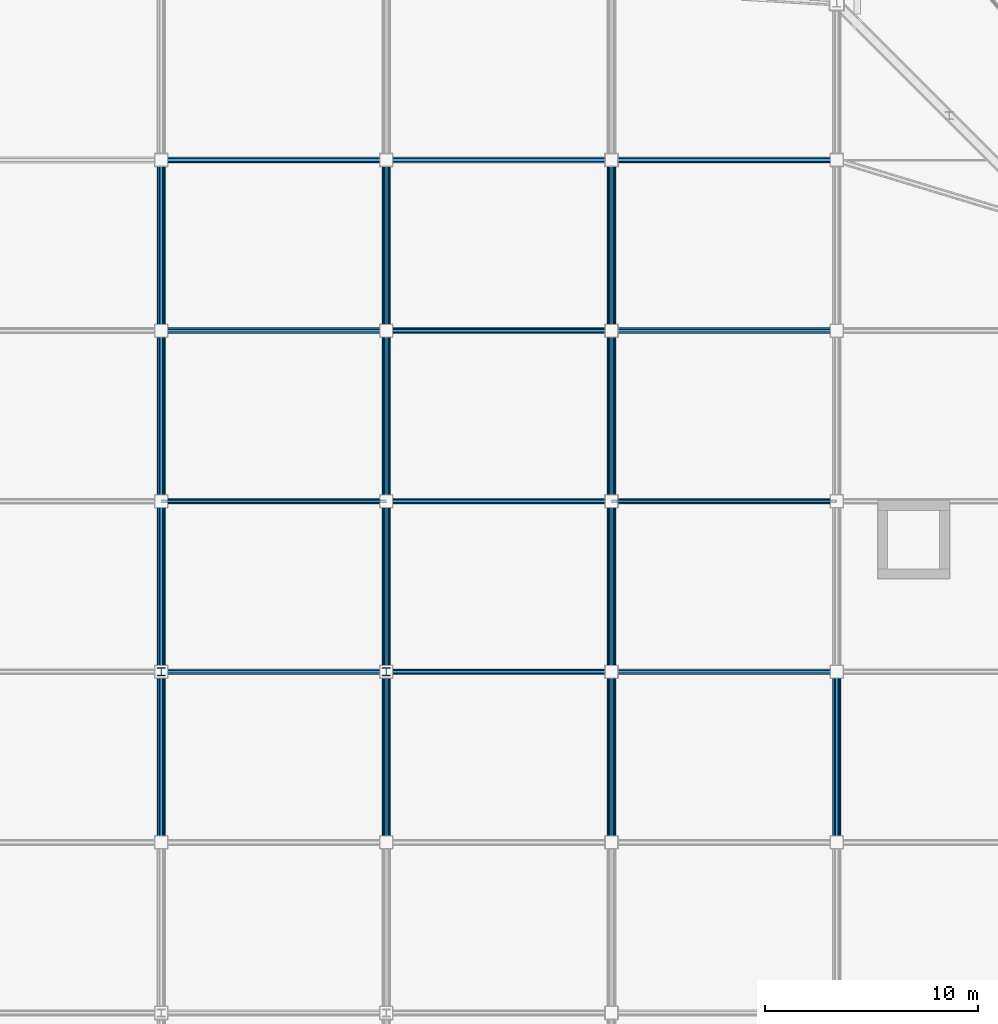
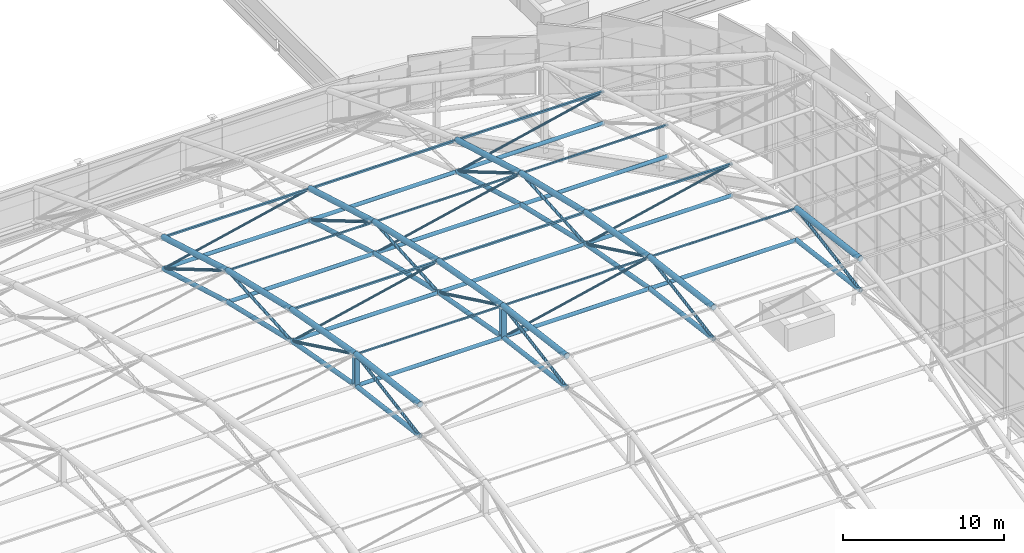
# One storey, part 24 of 42: 71 members.
"""IFC4 building model written with IfcOpenShell, lengths in metres."""

from ifc_helpers import new_model, si_unit, direction, frame, origin, origin_2d, place, context, subcontext, project, spatial, hollow_rectangle, hollow_circle, i_section, extrude, material, material_profile, profile_set, type_object, element, save


model = new_model("IFC4")

# Units and contexts
model_context = context("Model", 3, precision=1e-05, world=origin(), true_north=direction((0.0, 1.0)))
body_context = subcontext(model_context, "Body", "Model", "MODEL_VIEW")
ifc_project = project(units=[si_unit("LENGTHUNIT", "METRE"), si_unit("AREAUNIT", "SQUARE_METRE"), si_unit("VOLUMEUNIT", "CUBIC_METRE"), si_unit("PLANEANGLEUNIT", "RADIAN"), si_unit("MASSUNIT", "GRAM", prefix="KILO")], contexts=[model_context])

# Site, building, storey
site_placement = place(None, origin())
site = spatial("IfcSite", under=ifc_project, at=site_placement, CompositionType="ELEMENT")
building_placement = place(site_placement, origin())
building = spatial("IfcBuilding", under=site, at=building_placement, Name="Caelomonte Colonnade Arena", CompositionType="ELEMENT")
storey_placement = place(building_placement, frame((0.0, 0.0, 28.199951171875)))
storey = spatial("IfcBuildingStorey", under=building, at=storey_placement, Name="RF", CompositionType="ELEMENT", Elevation=28.199951171875)

# Members
ifc_material_1 = material(Name="Wide-flange steel ASTM A992 Grade 50", Category="steel")
ifc_material_profile_1 = material_profile(ifc_material_1, i_section(OverallWidth=0.368896484375, OverallDepth=0.356201171875, WebThickness=0.01123046875, FlangeThickness=0.01806640625, FilletRadius=0.01513671875, at=origin_2d()), Name="W14X90")
ifc_profile_set_1 = profile_set([ifc_material_profile_1], Name="Wide-flange steel ASTM A992 Grade 50")
member_type_1 = type_object("IfcMemberType", Name="STR-CAT-STR", PredefinedType="STRUT", material=ifc_profile_set_1)
for number, where, z_axis, x_axis, name in (
    (1, (120.9599609375, 75.199951171875, 11.68505859375), (0.0, 0.0, 1.0), (1.0, 0.0, 0.0), "Scoreboard rigging catwalk hanger post 6-7"),
    (2, (131.52001953125, 75.199951171875, 11.68505859375), (0.0, 0.0, 1.0), (1.0, 0.0, 0.0), "Scoreboard rigging catwalk hanger post 7-7"),
):
    element("IfcMember", number, at=place(storey_placement, frame(where, z_axis=z_axis, x_axis=x_axis)), inside=storey, type_object=member_type_1, Name=name, PredefinedType="STRUT", context=body_context, shape_type="SweptSolid", body=[
        extrude(i_section(OverallWidth=0.368896484375, OverallDepth=0.356201171875, WebThickness=0.01123046875, FlangeThickness=0.01806640625, FilletRadius=0.01513671875, at=origin_2d()), origin(), (0.0, 0.0, 1.0), 2.199951171875),
    ])
ifc_material_2 = material(Name="Steel ASTM A500 Grade C", Category="steel")
ifc_material_profile_2 = material_profile(ifc_material_2, hollow_circle(Radius=0.161865234375, WallThickness=0.010009765625, at=origin_2d()), Name="CHS323.9X10.0")
ifc_profile_set_2 = profile_set([ifc_material_profile_2], Name="Steel ASTM A500 Grade C")
member_type_2 = type_object("IfcMemberType", Name="STR-SF-BC2", PredefinedType="CHORD", material=ifc_profile_set_2)
member_1_placement = place(storey_placement, frame((120.9599609375, 67.201904296875, 12.599853515625), z_axis=(0.0, 0.992048803131, -0.125853773113), x_axis=(-1.0, 0.0, 0.0)))
element("IfcMember", 3, at=member_1_placement, inside=storey, type_object=member_type_2, Name="Arched roof truss bottom chord 6-6", PredefinedType="CHORD", context=body_context, shape_type="SweptSolid", body=[
    extrude(hollow_circle(Radius=0.161865234375, WallThickness=0.010009765625, at=origin_2d()), origin(), (0.0, 0.0, 1.0), 8.060302734375),
])
member_2_placement = place(storey_placement, frame((120.9599609375, 75.201904296875, 11.584716796875), z_axis=(0.0, 0.983990820662, -0.178219148393), x_axis=(-1.0, 0.0, 0.0)))
element("IfcMember", 4, at=member_2_placement, inside=storey, type_object=member_type_2, Name="Arched roof truss bottom chord 6-7", PredefinedType="CHORD", context=body_context, shape_type="SweptSolid", body=[
    extrude(hollow_circle(Radius=0.161865234375, WallThickness=0.010009765625, at=origin_2d()), origin(), (0.0, 0.0, 1.0), 8.126220703125),
])
member_3_placement = place(storey_placement, frame((120.9599609375, 83.201904296875, 10.135498046875), z_axis=(0.0, 0.973406253466, -0.229085716955), x_axis=(-1.0, 0.0, 0.0)))
element("IfcMember", 5, at=member_3_placement, inside=storey, type_object=member_type_2, Name="Arched roof truss bottom chord 6-8", PredefinedType="CHORD", context=body_context, shape_type="SweptSolid", body=[
    extrude(hollow_circle(Radius=0.161865234375, WallThickness=0.010009765625, at=origin_2d()), origin(), (0.0, 0.0, 1.0), 8.214599609375),
])
member_4_placement = place(storey_placement, frame((120.9599609375, 91.201904296875, 8.25244140625), z_axis=(0.0, 0.960531688459, -0.278170586988), x_axis=(-1.0, 0.0, 0.0)))
element("IfcMember", 6, at=member_4_placement, inside=storey, type_object=member_type_2, Name="Arched roof truss bottom chord 6-9", PredefinedType="CHORD", context=body_context, shape_type="SweptSolid", body=[
    extrude(hollow_circle(Radius=0.161865234375, WallThickness=0.010009765625, at=origin_2d()), origin(), (0.0, 0.0, 1.0), 8.32470703125),
])
member_5_placement = place(storey_placement, frame((131.52001953125, 67.201904296875, 12.599853515625), z_axis=(0.0, 0.992048803131, -0.125853773113), x_axis=(-1.0, 0.0, 0.0)))
element("IfcMember", 7, at=member_5_placement, inside=storey, type_object=member_type_2, Name="Arched roof truss bottom chord 7-6", PredefinedType="CHORD", context=body_context, shape_type="SweptSolid", body=[
    extrude(hollow_circle(Radius=0.161865234375, WallThickness=0.010009765625, at=origin_2d()), origin(), (0.0, 0.0, 1.0), 8.060302734375),
])
member_6_placement = place(storey_placement, frame((131.52001953125, 75.201904296875, 11.584716796875), z_axis=(0.0, 0.983990820662, -0.178219148393), x_axis=(-1.0, 0.0, 0.0)))
element("IfcMember", 8, at=member_6_placement, inside=storey, type_object=member_type_2, Name="Arched roof truss bottom chord 7-7", PredefinedType="CHORD", context=body_context, shape_type="SweptSolid", body=[
    extrude(hollow_circle(Radius=0.161865234375, WallThickness=0.010009765625, at=origin_2d()), origin(), (0.0, 0.0, 1.0), 8.126220703125),
])
member_7_placement = place(storey_placement, frame((131.52001953125, 83.201904296875, 10.135498046875), z_axis=(0.0, 0.973406253466, -0.229085716955), x_axis=(-1.0, 0.0, 0.0)))
element("IfcMember", 9, at=member_7_placement, inside=storey, type_object=member_type_2, Name="Arched roof truss bottom chord 7-8", PredefinedType="CHORD", context=body_context, shape_type="SweptSolid", body=[
    extrude(hollow_circle(Radius=0.161865234375, WallThickness=0.010009765625, at=origin_2d()), origin(), (0.0, 0.0, 1.0), 8.214599609375),
])
member_8_placement = place(storey_placement, frame((131.52001953125, 91.201904296875, 8.25244140625), z_axis=(0.0, 0.960531688459, -0.278170586988), x_axis=(-1.0, 0.0, 0.0)))
element("IfcMember", 10, at=member_8_placement, inside=storey, type_object=member_type_2, Name="Arched roof truss bottom chord 7-9", PredefinedType="CHORD", context=body_context, shape_type="SweptSolid", body=[
    extrude(hollow_circle(Radius=0.161865234375, WallThickness=0.010009765625, at=origin_2d()), origin(), (0.0, 0.0, 1.0), 8.32470703125),
])
member_9_placement = place(storey_placement, frame((142.080078125, 67.201904296875, 12.599853515625), z_axis=(0.0, 0.992048803131, -0.125853773113), x_axis=(-1.0, 0.0, 0.0)))
element("IfcMember", 11, at=member_9_placement, inside=storey, type_object=member_type_2, Name="Arched roof truss bottom chord 8-6", PredefinedType="CHORD", context=body_context, shape_type="SweptSolid", body=[
    extrude(hollow_circle(Radius=0.161865234375, WallThickness=0.010009765625, at=origin_2d()), origin(), (0.0, 0.0, 1.0), 8.060302734375),
])
member_10_placement = place(storey_placement, frame((142.080078125, 75.201904296875, 11.584716796875), z_axis=(0.0, 0.983990820662, -0.178219148393), x_axis=(-1.0, 0.0, 0.0)))
element("IfcMember", 12, at=member_10_placement, inside=storey, type_object=member_type_2, Name="Arched roof truss bottom chord 8-7", PredefinedType="CHORD", context=body_context, shape_type="SweptSolid", body=[
    extrude(hollow_circle(Radius=0.161865234375, WallThickness=0.010009765625, at=origin_2d()), origin(), (0.0, 0.0, 1.0), 8.126220703125),
])
member_11_placement = place(storey_placement, frame((142.080078125, 83.201904296875, 10.135498046875), z_axis=(0.0, 0.973406253466, -0.229085716955), x_axis=(-1.0, 0.0, 0.0)))
element("IfcMember", 13, at=member_11_placement, inside=storey, type_object=member_type_2, Name="Arched roof truss bottom chord 8-8", PredefinedType="CHORD", context=body_context, shape_type="SweptSolid", body=[
    extrude(hollow_circle(Radius=0.161865234375, WallThickness=0.010009765625, at=origin_2d()), origin(), (0.0, 0.0, 1.0), 8.214599609375),
])
member_12_placement = place(storey_placement, frame((142.080078125, 91.201904296875, 8.25244140625), z_axis=(0.0, 0.960531688459, -0.278170586988), x_axis=(-1.0, 0.0, 0.0)))
element("IfcMember", 14, at=member_12_placement, inside=storey, type_object=member_type_2, Name="Arched roof truss bottom chord 8-9", PredefinedType="CHORD", context=body_context, shape_type="SweptSolid", body=[
    extrude(hollow_circle(Radius=0.161865234375, WallThickness=0.010009765625, at=origin_2d()), origin(), (0.0, 0.0, 1.0), 8.32470703125),
])
member_13_placement = place(storey_placement, frame((152.639892578125, 67.201904296875, 12.599853515625), z_axis=(0.0, 0.992048803131, -0.125853773113), x_axis=(-1.0, 0.0, 0.0)))
element("IfcMember", 15, at=member_13_placement, inside=storey, type_object=member_type_2, Name="Arched roof truss bottom chord 9-6", PredefinedType="CHORD", context=body_context, shape_type="SweptSolid", body=[
    extrude(hollow_circle(Radius=0.161865234375, WallThickness=0.010009765625, at=origin_2d()), origin(), (0.0, 0.0, 1.0), 8.060302734375),
])
ifc_material_profile_3 = material_profile(ifc_material_2, hollow_rectangle(XDim=0.15234375, YDim=0.15234375, WallThickness=0.008056640625, InnerFilletRadius=0.008056640625, OuterFilletRadius=0.01611328125, at=origin_2d()), Name="HSS152X152X8.0")
ifc_profile_set_3 = profile_set([ifc_material_profile_3], Name="Steel ASTM A500 Grade C")
member_type_3 = type_object("IfcMemberType", Name="STR-SF-PUR2", PredefinedType="PURLIN", material=ifc_profile_set_3)
for number, where, z_axis, x_axis, name in (
    (16, (120.9619140625, 83.199951171875, 12.5361328125), (1.0, 0.0, 0.0), (0.0, 1.0, 0.0), "Arched roof purlin 6-8"),
    (17, (120.9619140625, 99.199951171875, 8.3359375), (1.0, 0.0, 0.0), (0.0, 1.0, 0.0), "Arched roof purlin 6-10"),
):
    element("IfcMember", number, at=place(storey_placement, frame(where, z_axis=z_axis, x_axis=x_axis)), inside=storey, type_object=member_type_3, Name=name, PredefinedType="PURLIN", context=body_context, shape_type="SweptSolid", body=[
        extrude(hollow_rectangle(XDim=0.15234375, YDim=0.15234375, WallThickness=0.008056640625, InnerFilletRadius=0.008056640625, OuterFilletRadius=0.01611328125, at=origin_2d()), origin(), (0.0, 0.0, 1.0), 10.55615234375),
    ])
for number, where, z_axis, x_axis, name in (
    (18, (131.52197265625, 83.199951171875, 12.5361328125), (1.0, 0.0, 0.0), (0.0, 1.0, 0.0), "Arched roof purlin 7-8"),
    (19, (131.52197265625, 99.199951171875, 8.3359375), (1.0, 0.0, 0.0), (0.0, 1.0, 0.0), "Arched roof purlin 7-10"),
    (20, (142.08203125, 83.199951171875, 12.5361328125), (1.0, 0.0, 0.0), (0.0, 1.0, 0.0), "Arched roof purlin 8-8"),
    (21, (142.08203125, 99.199951171875, 8.3359375), (1.0, 0.0, 0.0), (0.0, 1.0, 0.0), "Arched roof purlin 8-10"),
):
    element("IfcMember", number, at=place(storey_placement, frame(where, z_axis=z_axis, x_axis=x_axis)), inside=storey, type_object=member_type_3, Name=name, PredefinedType="PURLIN", context=body_context, shape_type="SweptSolid", body=[
        extrude(hollow_rectangle(XDim=0.15234375, YDim=0.15234375, WallThickness=0.008056640625, InnerFilletRadius=0.008056640625, OuterFilletRadius=0.01611328125, at=origin_2d()), origin(), (0.0, 0.0, 1.0), 10.555908203125),
    ])
ifc_material_profile_4 = material_profile(ifc_material_2, hollow_rectangle(XDim=0.126953125, YDim=0.126953125, WallThickness=0.00634765625, InnerFilletRadius=0.00634765625, OuterFilletRadius=0.0126953125, at=origin_2d()), Name="HSS127X127X6.4")
ifc_profile_set_4 = profile_set([ifc_material_profile_4], Name="Steel ASTM A500 Grade C")
member_type_4 = type_object("IfcMemberType", Name="STR-SF-PUR3", PredefinedType="PURLIN", material=ifc_profile_set_4)
for number, where, z_axis, x_axis, name in (
    (22, (120.9619140625, 75.199951171875, 13.985107421875), (1.0, 0.0, 0.0), (0.0, 1.0, 0.0), "Arched roof purlin 6-7"),
    (23, (120.9619140625, 91.199951171875, 10.653076171875), (1.0, 0.0, 0.0), (0.0, 1.0, 0.0), "Arched roof purlin 6-9"),
):
    element("IfcMember", number, at=place(storey_placement, frame(where, z_axis=z_axis, x_axis=x_axis)), inside=storey, type_object=member_type_4, Name=name, PredefinedType="PURLIN", context=body_context, shape_type="SweptSolid", body=[
        extrude(hollow_rectangle(XDim=0.126953125, YDim=0.126953125, WallThickness=0.00634765625, InnerFilletRadius=0.00634765625, OuterFilletRadius=0.0126953125, at=origin_2d()), origin(), (0.0, 0.0, 1.0), 10.55615234375),
    ])
for number, where, z_axis, x_axis, name in (
    (24, (131.52197265625, 75.199951171875, 13.985107421875), (1.0, 0.0, 0.0), (0.0, 1.0, 0.0), "Arched roof purlin 7-7"),
    (25, (131.52197265625, 91.199951171875, 10.653076171875), (1.0, 0.0, 0.0), (0.0, 1.0, 0.0), "Arched roof purlin 7-9"),
    (26, (142.08203125, 75.199951171875, 13.985107421875), (1.0, 0.0, 0.0), (0.0, 1.0, 0.0), "Arched roof purlin 8-7"),
    (27, (142.08203125, 91.199951171875, 10.653076171875), (1.0, 0.0, 0.0), (0.0, 1.0, 0.0), "Arched roof purlin 8-9"),
):
    element("IfcMember", number, at=place(storey_placement, frame(where, z_axis=z_axis, x_axis=x_axis)), inside=storey, type_object=member_type_4, Name=name, PredefinedType="PURLIN", context=body_context, shape_type="SweptSolid", body=[
        extrude(hollow_rectangle(XDim=0.126953125, YDim=0.126953125, WallThickness=0.00634765625, InnerFilletRadius=0.00634765625, OuterFilletRadius=0.0126953125, at=origin_2d()), origin(), (0.0, 0.0, 1.0), 10.555908203125),
    ])
ifc_material_profile_5 = material_profile(ifc_material_2, hollow_circle(Radius=0.203125, WallThickness=0.0126953125, at=origin_2d()), Name="CHS406.4X12.7")
ifc_profile_set_5 = profile_set([ifc_material_profile_5], Name="Steel ASTM A500 Grade C")
member_type_5 = type_object("IfcMemberType", Name="STR-SF-TC2", PredefinedType="CHORD", material=ifc_profile_set_5)
member_14_placement = place(storey_placement, frame((120.9599609375, 67.201904296875, 14.999755859375), z_axis=(0.0, 0.992048803131, -0.125853773113), x_axis=(-1.0, 0.0, 0.0)))
element("IfcMember", 28, at=member_14_placement, inside=storey, type_object=member_type_5, Name="Arched roof truss top chord 6-6", PredefinedType="CHORD", context=body_context, shape_type="SweptSolid", body=[
    extrude(hollow_circle(Radius=0.203125, WallThickness=0.0126953125, at=origin_2d()), origin(), (0.0, 0.0, 1.0), 8.060302734375),
])
member_15_placement = place(storey_placement, frame((120.9599609375, 75.201904296875, 13.984619140625), z_axis=(0.0, 0.983990820662, -0.178219148393), x_axis=(-1.0, 0.0, 0.0)))
element("IfcMember", 29, at=member_15_placement, inside=storey, type_object=member_type_5, Name="Arched roof truss top chord 6-7", PredefinedType="CHORD", context=body_context, shape_type="SweptSolid", body=[
    extrude(hollow_circle(Radius=0.203125, WallThickness=0.0126953125, at=origin_2d()), origin(), (0.0, 0.0, 1.0), 8.126220703125),
])
member_16_placement = place(storey_placement, frame((120.9599609375, 83.201904296875, 12.53564453125), z_axis=(0.0, 0.973399625624, -0.229113877441), x_axis=(-1.0, 0.0, 0.0)))
element("IfcMember", 30, at=member_16_placement, inside=storey, type_object=member_type_5, Name="Arched roof truss top chord 6-8", PredefinedType="CHORD", context=body_context, shape_type="SweptSolid", body=[
    extrude(hollow_circle(Radius=0.203125, WallThickness=0.0126953125, at=origin_2d()), origin(), (0.0, 0.0, 1.0), 8.214599609375),
])
member_17_placement = place(storey_placement, frame((120.9599609375, 91.201904296875, 10.65234375), z_axis=(0.0, 0.960531688459, -0.278170586988), x_axis=(-1.0, 0.0, 0.0)))
element("IfcMember", 31, at=member_17_placement, inside=storey, type_object=member_type_5, Name="Arched roof truss top chord 6-9", PredefinedType="CHORD", context=body_context, shape_type="SweptSolid", body=[
    extrude(hollow_circle(Radius=0.203125, WallThickness=0.0126953125, at=origin_2d()), origin(), (0.0, 0.0, 1.0), 8.32470703125),
])
member_18_placement = place(storey_placement, frame((131.52001953125, 67.201904296875, 14.999755859375), z_axis=(0.0, 0.992048803131, -0.125853773113), x_axis=(-1.0, 0.0, 0.0)))
element("IfcMember", 32, at=member_18_placement, inside=storey, type_object=member_type_5, Name="Arched roof truss top chord 7-6", PredefinedType="CHORD", context=body_context, shape_type="SweptSolid", body=[
    extrude(hollow_circle(Radius=0.203125, WallThickness=0.0126953125, at=origin_2d()), origin(), (0.0, 0.0, 1.0), 8.060302734375),
])
member_19_placement = place(storey_placement, frame((131.52001953125, 75.201904296875, 13.984619140625), z_axis=(0.0, 0.983990820662, -0.178219148393), x_axis=(-1.0, 0.0, 0.0)))
element("IfcMember", 33, at=member_19_placement, inside=storey, type_object=member_type_5, Name="Arched roof truss top chord 7-7", PredefinedType="CHORD", context=body_context, shape_type="SweptSolid", body=[
    extrude(hollow_circle(Radius=0.203125, WallThickness=0.0126953125, at=origin_2d()), origin(), (0.0, 0.0, 1.0), 8.126220703125),
])
member_20_placement = place(storey_placement, frame((131.52001953125, 83.201904296875, 12.53564453125), z_axis=(0.0, 0.973399625624, -0.229113877441), x_axis=(-1.0, 0.0, 0.0)))
element("IfcMember", 34, at=member_20_placement, inside=storey, type_object=member_type_5, Name="Arched roof truss top chord 7-8", PredefinedType="CHORD", context=body_context, shape_type="SweptSolid", body=[
    extrude(hollow_circle(Radius=0.203125, WallThickness=0.0126953125, at=origin_2d()), origin(), (0.0, 0.0, 1.0), 8.214599609375),
])
member_21_placement = place(storey_placement, frame((131.52001953125, 91.201904296875, 10.65234375), z_axis=(0.0, 0.960531688459, -0.278170586988), x_axis=(-1.0, 0.0, 0.0)))
element("IfcMember", 35, at=member_21_placement, inside=storey, type_object=member_type_5, Name="Arched roof truss top chord 7-9", PredefinedType="CHORD", context=body_context, shape_type="SweptSolid", body=[
    extrude(hollow_circle(Radius=0.203125, WallThickness=0.0126953125, at=origin_2d()), origin(), (0.0, 0.0, 1.0), 8.32470703125),
])
member_22_placement = place(storey_placement, frame((142.080078125, 67.201904296875, 14.999755859375), z_axis=(0.0, 0.992048803131, -0.125853773113), x_axis=(-1.0, 0.0, 0.0)))
element("IfcMember", 36, at=member_22_placement, inside=storey, type_object=member_type_5, Name="Arched roof truss top chord 8-6", PredefinedType="CHORD", context=body_context, shape_type="SweptSolid", body=[
    extrude(hollow_circle(Radius=0.203125, WallThickness=0.0126953125, at=origin_2d()), origin(), (0.0, 0.0, 1.0), 8.060302734375),
])
member_23_placement = place(storey_placement, frame((142.080078125, 75.201904296875, 13.984619140625), z_axis=(0.0, 0.983990820662, -0.178219148393), x_axis=(-1.0, 0.0, 0.0)))
element("IfcMember", 37, at=member_23_placement, inside=storey, type_object=member_type_5, Name="Arched roof truss top chord 8-7", PredefinedType="CHORD", context=body_context, shape_type="SweptSolid", body=[
    extrude(hollow_circle(Radius=0.203125, WallThickness=0.0126953125, at=origin_2d()), origin(), (0.0, 0.0, 1.0), 8.126220703125),
])
member_24_placement = place(storey_placement, frame((142.080078125, 83.201904296875, 12.53564453125), z_axis=(0.0, 0.973399625624, -0.229113877441), x_axis=(-1.0, 0.0, 0.0)))
element("IfcMember", 38, at=member_24_placement, inside=storey, type_object=member_type_5, Name="Arched roof truss top chord 8-8", PredefinedType="CHORD", context=body_context, shape_type="SweptSolid", body=[
    extrude(hollow_circle(Radius=0.203125, WallThickness=0.0126953125, at=origin_2d()), origin(), (0.0, 0.0, 1.0), 8.214599609375),
])
member_25_placement = place(storey_placement, frame((142.080078125, 91.201904296875, 10.65234375), z_axis=(0.0, 0.960531688459, -0.278170586988), x_axis=(-1.0, 0.0, 0.0)))
element("IfcMember", 39, at=member_25_placement, inside=storey, type_object=member_type_5, Name="Arched roof truss top chord 8-9", PredefinedType="CHORD", context=body_context, shape_type="SweptSolid", body=[
    extrude(hollow_circle(Radius=0.203125, WallThickness=0.0126953125, at=origin_2d()), origin(), (0.0, 0.0, 1.0), 8.32470703125),
])
member_26_placement = place(storey_placement, frame((152.639892578125, 67.201904296875, 14.999755859375), z_axis=(0.0, 0.992048803131, -0.125853773113), x_axis=(-1.0, 0.0, 0.0)))
element("IfcMember", 40, at=member_26_placement, inside=storey, type_object=member_type_5, Name="Arched roof truss top chord 9-6", PredefinedType="CHORD", context=body_context, shape_type="SweptSolid", body=[
    extrude(hollow_circle(Radius=0.203125, WallThickness=0.0126953125, at=origin_2d()), origin(), (0.0, 0.0, 1.0), 8.060302734375),
])
ifc_material_profile_6 = material_profile(ifc_material_2, hollow_circle(Radius=0.136474609375, WallThickness=0.00927734375, at=origin_2d()), Name="CHS273.0X9.3")
ifc_profile_set_6 = profile_set([ifc_material_profile_6], Name="Steel ASTM A500 Grade C")
member_type_6 = type_object("IfcMemberType", Name="STR-SF-TIE", PredefinedType="STRUT", material=ifc_profile_set_6)
for number, where, z_axis, x_axis, name in (
    (41, (120.9619140625, 75.199951171875, 11.5849609375), (1.0, 0.0, 0.0), (0.0, 1.0, 0.0), "Space frame roof tie strut 6-7"),
    (42, (120.9619140625, 83.199951171875, 10.135986328125), (1.0, 0.0, 0.0), (0.0, 1.0, 0.0), "Space frame roof tie strut 6-8"),
    (43, (120.9619140625, 91.199951171875, 8.2529296875), (1.0, 0.0, 0.0), (0.0, 1.0, 0.0), "Space frame roof tie strut 6-9"),
    (44, (120.9619140625, 99.199951171875, 5.93603515625), (1.0, 0.0, 0.0), (0.0, 1.0, 0.0), "Space frame roof tie strut 6-10"),
):
    element("IfcMember", number, at=place(storey_placement, frame(where, z_axis=z_axis, x_axis=x_axis)), inside=storey, type_object=member_type_6, Name=name, PredefinedType="STRUT", context=body_context, shape_type="SweptSolid", body=[
        extrude(hollow_circle(Radius=0.136474609375, WallThickness=0.00927734375, at=origin_2d()), origin(), (0.0, 0.0, 1.0), 10.55615234375),
    ])
for number, where, z_axis, x_axis, name in (
    (45, (131.52197265625, 75.199951171875, 11.5849609375), (1.0, 0.0, 0.0), (0.0, 1.0, 0.0), "Space frame roof tie strut 7-7"),
    (46, (131.52197265625, 83.199951171875, 10.135986328125), (1.0, 0.0, 0.0), (0.0, 1.0, 0.0), "Space frame roof tie strut 7-8"),
    (47, (131.52197265625, 91.199951171875, 8.2529296875), (1.0, 0.0, 0.0), (0.0, 1.0, 0.0), "Space frame roof tie strut 7-9"),
    (48, (131.52197265625, 99.199951171875, 5.93603515625), (1.0, 0.0, 0.0), (0.0, 1.0, 0.0), "Space frame roof tie strut 7-10"),
    (49, (142.08203125, 75.199951171875, 11.5849609375), (1.0, 0.0, 0.0), (0.0, 1.0, 0.0), "Space frame roof tie strut 8-7"),
    (50, (142.08203125, 83.199951171875, 10.135986328125), (1.0, 0.0, 0.0), (0.0, 1.0, 0.0), "Space frame roof tie strut 8-8"),
    (51, (142.08203125, 91.199951171875, 8.2529296875), (1.0, 0.0, 0.0), (0.0, 1.0, 0.0), "Space frame roof tie strut 8-9"),
    (52, (142.08203125, 99.199951171875, 5.93603515625), (1.0, 0.0, 0.0), (0.0, 1.0, 0.0), "Space frame roof tie strut 8-10"),
):
    element("IfcMember", number, at=place(storey_placement, frame(where, z_axis=z_axis, x_axis=x_axis)), inside=storey, type_object=member_type_6, Name=name, PredefinedType="STRUT", context=body_context, shape_type="SweptSolid", body=[
        extrude(hollow_circle(Radius=0.136474609375, WallThickness=0.00927734375, at=origin_2d()), origin(), (0.0, 0.0, 1.0), 10.555908203125),
    ])
ifc_material_profile_7 = material_profile(ifc_material_2, hollow_circle(Radius=0.109619140625, WallThickness=0.00830078125, at=origin_2d()), Name="CHS219.1X8.2")
ifc_profile_set_7 = profile_set([ifc_material_profile_7], Name="Steel ASTM A500 Grade C")
member_type_7 = type_object("IfcMemberType", Name="STR-SF-WEB1", PredefinedType="BRACE", material=ifc_profile_set_7)
member_27_placement = place(storey_placement, frame((120.9599609375, 67.201904296875, 12.600341796875), z_axis=(0.0, 0.985338447855, 0.1706110875), x_axis=(-1.0, 0.0, 0.0)))
element("IfcMember", 53, at=member_27_placement, inside=storey, type_object=member_type_7, Name="Space frame roof truss web diagonal 6-6", PredefinedType="BRACE", context=body_context, shape_type="SweptSolid", body=[
    extrude(hollow_circle(Radius=0.109619140625, WallThickness=0.00830078125, at=origin_2d()), origin(), (0.0, 0.0, 1.0), 8.114990234375),
])
member_28_placement = place(storey_placement, frame((120.9599609375, 75.201904296875, 13.984130859375), z_axis=(0.0, 0.901130279028, -0.433548405854), x_axis=(-1.0, 0.0, 0.0)))
element("IfcMember", 54, at=member_28_placement, inside=storey, type_object=member_type_7, Name="Space frame roof truss web diagonal 6-7", PredefinedType="BRACE", context=body_context, shape_type="SweptSolid", body=[
    extrude(hollow_circle(Radius=0.109619140625, WallThickness=0.00830078125, at=origin_2d()), origin(), (0.0, 0.0, 1.0), 8.873779296875),
])
member_29_placement = place(storey_placement, frame((120.9599609375, 83.201904296875, 10.13623046875), z_axis=(0.0, 0.997919495279, 0.064472326942), x_axis=(-1.0, 0.0, 0.0)))
element("IfcMember", 55, at=member_29_placement, inside=storey, type_object=member_type_7, Name="Space frame roof truss web diagonal 6-8", PredefinedType="BRACE", context=body_context, shape_type="SweptSolid", body=[
    extrude(hollow_circle(Radius=0.109619140625, WallThickness=0.00830078125, at=origin_2d()), origin(), (0.0, 0.0, 1.0), 8.0126953125),
])
member_30_placement = place(storey_placement, frame((120.9599609375, 91.20166015625, 10.652099609375), z_axis=(0.0, 0.861405734482, -0.507917474203), x_axis=(-1.0, 0.0, 0.0)))
element("IfcMember", 56, at=member_30_placement, inside=storey, type_object=member_type_7, Name="Space frame roof truss web diagonal 6-9", PredefinedType="BRACE", context=body_context, shape_type="SweptSolid", body=[
    extrude(hollow_circle(Radius=0.109619140625, WallThickness=0.00830078125, at=origin_2d()), origin(), (0.0, 0.0, 1.0), 9.283203125),
])
member_31_placement = place(storey_placement, frame((131.52001953125, 67.201904296875, 12.600341796875), z_axis=(0.0, 0.985338447855, 0.1706110875), x_axis=(-1.0, 0.0, 0.0)))
element("IfcMember", 57, at=member_31_placement, inside=storey, type_object=member_type_7, Name="Space frame roof truss web diagonal 7-6", PredefinedType="BRACE", context=body_context, shape_type="SweptSolid", body=[
    extrude(hollow_circle(Radius=0.109619140625, WallThickness=0.00830078125, at=origin_2d()), origin(), (0.0, 0.0, 1.0), 8.114990234375),
])
member_32_placement = place(storey_placement, frame((131.52001953125, 75.201904296875, 13.984130859375), z_axis=(0.0, 0.901130279028, -0.433548405854), x_axis=(-1.0, 0.0, 0.0)))
element("IfcMember", 58, at=member_32_placement, inside=storey, type_object=member_type_7, Name="Space frame roof truss web diagonal 7-7", PredefinedType="BRACE", context=body_context, shape_type="SweptSolid", body=[
    extrude(hollow_circle(Radius=0.109619140625, WallThickness=0.00830078125, at=origin_2d()), origin(), (0.0, 0.0, 1.0), 8.873779296875),
])
member_33_placement = place(storey_placement, frame((131.52001953125, 83.201904296875, 10.13623046875), z_axis=(0.0, 0.997919495279, 0.064472326942), x_axis=(-1.0, 0.0, 0.0)))
element("IfcMember", 59, at=member_33_placement, inside=storey, type_object=member_type_7, Name="Space frame roof truss web diagonal 7-8", PredefinedType="BRACE", context=body_context, shape_type="SweptSolid", body=[
    extrude(hollow_circle(Radius=0.109619140625, WallThickness=0.00830078125, at=origin_2d()), origin(), (0.0, 0.0, 1.0), 8.0126953125),
])
member_34_placement = place(storey_placement, frame((131.52001953125, 91.20166015625, 10.652099609375), z_axis=(0.0, 0.861405734482, -0.507917474203), x_axis=(-1.0, 0.0, 0.0)))
element("IfcMember", 60, at=member_34_placement, inside=storey, type_object=member_type_7, Name="Space frame roof truss web diagonal 7-9", PredefinedType="BRACE", context=body_context, shape_type="SweptSolid", body=[
    extrude(hollow_circle(Radius=0.109619140625, WallThickness=0.00830078125, at=origin_2d()), origin(), (0.0, 0.0, 1.0), 9.283203125),
])
member_35_placement = place(storey_placement, frame((142.080078125, 67.201904296875, 12.600341796875), z_axis=(0.0, 0.985338447855, 0.1706110875), x_axis=(-1.0, 0.0, 0.0)))
element("IfcMember", 61, at=member_35_placement, inside=storey, type_object=member_type_7, Name="Space frame roof truss web diagonal 8-6", PredefinedType="BRACE", context=body_context, shape_type="SweptSolid", body=[
    extrude(hollow_circle(Radius=0.109619140625, WallThickness=0.00830078125, at=origin_2d()), origin(), (0.0, 0.0, 1.0), 8.114990234375),
])
member_36_placement = place(storey_placement, frame((142.080078125, 75.201904296875, 13.984130859375), z_axis=(0.0, 0.901130279028, -0.433548405854), x_axis=(-1.0, 0.0, 0.0)))
element("IfcMember", 62, at=member_36_placement, inside=storey, type_object=member_type_7, Name="Space frame roof truss web diagonal 8-7", PredefinedType="BRACE", context=body_context, shape_type="SweptSolid", body=[
    extrude(hollow_circle(Radius=0.109619140625, WallThickness=0.00830078125, at=origin_2d()), origin(), (0.0, 0.0, 1.0), 8.873779296875),
])
member_37_placement = place(storey_placement, frame((142.080078125, 83.201904296875, 10.13623046875), z_axis=(0.0, 0.997919495279, 0.064472326942), x_axis=(-1.0, 0.0, 0.0)))
element("IfcMember", 63, at=member_37_placement, inside=storey, type_object=member_type_7, Name="Space frame roof truss web diagonal 8-8", PredefinedType="BRACE", context=body_context, shape_type="SweptSolid", body=[
    extrude(hollow_circle(Radius=0.109619140625, WallThickness=0.00830078125, at=origin_2d()), origin(), (0.0, 0.0, 1.0), 8.0126953125),
])
member_38_placement = place(storey_placement, frame((142.080078125, 91.20166015625, 10.652099609375), z_axis=(0.0, 0.861405734482, -0.507917474203), x_axis=(-1.0, 0.0, 0.0)))
element("IfcMember", 64, at=member_38_placement, inside=storey, type_object=member_type_7, Name="Space frame roof truss web diagonal 8-9", PredefinedType="BRACE", context=body_context, shape_type="SweptSolid", body=[
    extrude(hollow_circle(Radius=0.109619140625, WallThickness=0.00830078125, at=origin_2d()), origin(), (0.0, 0.0, 1.0), 9.283203125),
])
member_39_placement = place(storey_placement, frame((152.639892578125, 67.201904296875, 12.600341796875), z_axis=(0.0, 0.985338447855, 0.1706110875), x_axis=(-1.0, 0.0, 0.0)))
element("IfcMember", 65, at=member_39_placement, inside=storey, type_object=member_type_7, Name="Space frame roof truss web diagonal 9-6", PredefinedType="BRACE", context=body_context, shape_type="SweptSolid", body=[
    extrude(hollow_circle(Radius=0.109619140625, WallThickness=0.00830078125, at=origin_2d()), origin(), (0.0, 0.0, 1.0), 8.114990234375),
])
ifc_material_profile_8 = material_profile(ifc_material_2, hollow_circle(Radius=0.084228515625, WallThickness=0.007080078125, at=origin_2d()), Name="CHS168.3X7.1")
ifc_profile_set_8 = profile_set([ifc_material_profile_8], Name="Steel ASTM A500 Grade C")
member_type_8 = type_object("IfcMemberType", Name="STR-SF-WEB2", PredefinedType="BRACE", material=ifc_profile_set_8)
for number, where, z_axis, x_axis, name in (
    (66, (120.9619140625, 83.199951171875, 10.136474609375), (0.975131969628, 0.0, 0.221625002672), (0.0, 1.0, 0.0), "Space frame transverse diagonal 6-8"),
    (67, (120.9619140625, 99.199951171875, 5.9365234375), (0.975131969628, 0.0, 0.221625002672), (0.0, 1.0, 0.0), "Space frame transverse diagonal 6-10"),
):
    element("IfcMember", number, at=place(storey_placement, frame(where, z_axis=z_axis, x_axis=x_axis)), inside=storey, type_object=member_type_8, Name=name, PredefinedType="BRACE", context=body_context, shape_type="SweptSolid", body=[
        extrude(hollow_circle(Radius=0.084228515625, WallThickness=0.007080078125, at=origin_2d()), origin(), (0.0, 0.0, 1.0), 10.825439453125),
    ])
for number, where, z_axis, x_axis, name in (
    (68, (131.52197265625, 75.199951171875, 11.58544921875), (0.975130861858, 0.0, 0.221629876714), (0.0, 1.0, 0.0), "Space frame transverse diagonal 7-7"),
    (69, (131.52197265625, 91.199951171875, 8.25341796875), (0.975130861858, 0.0, 0.221629876714), (0.0, 1.0, 0.0), "Space frame transverse diagonal 7-9"),
    (70, (142.08203125, 83.199951171875, 10.136474609375), (0.975130861858, 0.0, 0.221629876714), (0.0, 1.0, 0.0), "Space frame transverse diagonal 8-8"),
    (71, (142.08203125, 99.199951171875, 5.9365234375), (0.975130861858, 0.0, 0.221629876714), (0.0, 1.0, 0.0), "Space frame transverse diagonal 8-10"),
):
    element("IfcMember", number, at=place(storey_placement, frame(where, z_axis=z_axis, x_axis=x_axis)), inside=storey, type_object=member_type_8, Name=name, PredefinedType="BRACE", context=body_context, shape_type="SweptSolid", body=[
        extrude(hollow_circle(Radius=0.084228515625, WallThickness=0.007080078125, at=origin_2d()), origin(), (0.0, 0.0, 1.0), 10.8251953125),
    ])

save(model, "model.ifc")
